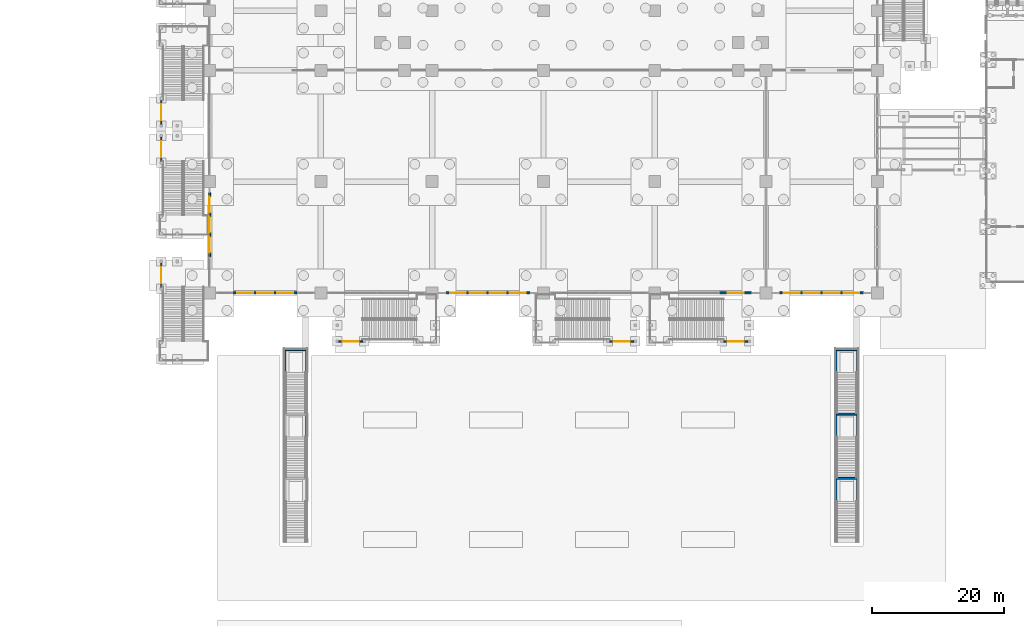
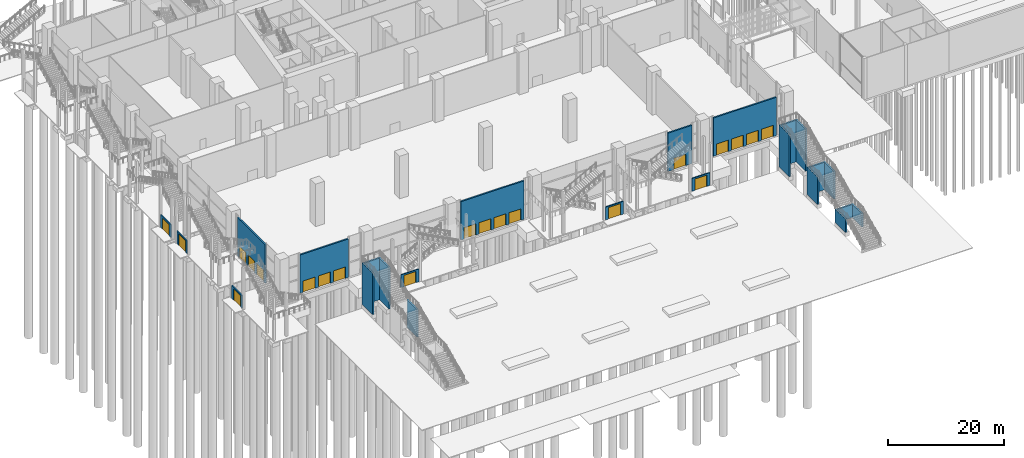
# One storey, part 39 of 72: 24 walls, 21 doors, 21 openings.
"""IFC4 building model written with IfcOpenShell, lengths in metres."""

from ifc_helpers import new_model, si_unit, direction, frame, frame_2d, origin, place, context, subcontext, project, spatial, rectangle, extrude, material, layer, layer_set, type_object, element, fill, save


model = new_model("IFC4")

# Units and contexts
model_context = context("Model", 3, precision=1e-05, world=origin(), true_north=direction((0.0, 1.0)))
body_context = subcontext(model_context, "Body", "Model", "MODEL_VIEW")
ifc_project = project(units=[si_unit("LENGTHUNIT", "METRE"), si_unit("AREAUNIT", "SQUARE_METRE"), si_unit("VOLUMEUNIT", "CUBIC_METRE"), si_unit("PLANEANGLEUNIT", "RADIAN"), si_unit("MASSUNIT", "GRAM", prefix="KILO")], contexts=[model_context])

# Site, building, storey
site_placement = place(None, origin())
site = spatial("IfcSite", under=ifc_project, at=site_placement, CompositionType="ELEMENT")
building_placement = place(site_placement, origin())
building = spatial("IfcBuilding", under=site, at=building_placement, Name="Candeia Pilgrim Tower and Theatre", CompositionType="ELEMENT")
storey_placement = place(building_placement, origin())
storey = spatial("IfcBuildingStorey", under=building, at=storey_placement, Name="L00", CompositionType="ELEMENT", Elevation=0.0)

# Wall, openings, doors
ifc_material_1 = material(Name="Ceramic block masonry", Category="masonry")
ifc_layer_1 = layer(ifc_material_1, 0.300048828125)
ifc_layer_set_1 = layer_set([ifc_layer_1], Name="EW2 entrance infill wall 300")
wall_type_1 = type_object("IfcWallType", Name="EW2 entrance infill wall 300", PredefinedType="SOLIDWALL", material=ifc_layer_set_1)
wall_1_placement = place(storey_placement, frame((58.800048828125, 69.89990234375, 0.0), z_axis=(0.0, 0.0, 1.0), x_axis=(0.0, 1.0, 0.0)))
wall_1 = element("IfcWall", 1, at=wall_1_placement, inside=storey, type_object=wall_type_1, Name="Entrance wall L00", PredefinedType="SOLIDWALL", context=body_context, shape_type="SweptSolid", body=[
    extrude(rectangle(XDim=9.60009765625, YDim=0.300048828125, at=frame_2d((4.800048828125, 0.0))), origin(), (0.0, 0.0, 1.0), 8.10009765625),
])
opening_1_placement = place(wall_1_placement, frame((0.60009765625, 0.0, 0.0)))
opening_1 = element("IfcOpeningElement", 2, at=opening_1_placement, cuts=wall_1, Name="Opening L00-ED001", PredefinedType="OPENING", context=body_context, shape_type="SweptSolid", body=[
    extrude(rectangle(XDim=2.39990234375, YDim=2.39990234375, at=frame_2d((1.199951171875, 1.199951171875))), frame((0.0, 0.16015625, 0.0), z_axis=(0.0, -1.0, 0.0), x_axis=(1.0, 0.0, 0.0)), (0.0, 0.0, 1.0), 0.320068359375),
])
opening_2_placement = place(wall_1_placement, frame((3.60009765625, 0.0, 0.0)))
opening_2 = element("IfcOpeningElement", 3, at=opening_2_placement, cuts=wall_1, Name="Opening L00-ED002", PredefinedType="OPENING", context=body_context, shape_type="SweptSolid", body=[
    extrude(rectangle(XDim=2.39990234375, YDim=2.39990234375, at=frame_2d((1.199951171875, 1.199951171875))), frame((0.0, 0.16015625, 0.0), z_axis=(0.0, -1.0, 0.0), x_axis=(1.0, 0.0, 0.0)), (0.0, 0.0, 1.0), 0.320068359375),
])
opening_3_placement = place(wall_1_placement, frame((6.60009765625, 0.0, 0.0)))
opening_3 = element("IfcOpeningElement", 4, at=opening_3_placement, cuts=wall_1, Name="Opening L00-ED003", PredefinedType="OPENING", context=body_context, shape_type="SweptSolid", body=[
    extrude(rectangle(XDim=2.39990234375, YDim=2.39990234375, at=frame_2d((1.199951171875, 1.199951171875))), frame((0.0, 0.16015625, 0.0), z_axis=(0.0, -1.0, 0.0), x_axis=(1.0, 0.0, 0.0)), (0.0, 0.0, 1.0), 0.320068359375),
])
ifc_material_2 = material(Name="Aluminium framed glazed door", Category="aluminium")
door_type = type_object("IfcDoorType", Name="ED entrance double door 2400x2400", OperationType="DOUBLE_DOOR_DOUBLE_SWING", PredefinedType="DOOR", material=ifc_material_2)
door_1_placement = place(opening_1_placement, origin())
door_1 = element("IfcDoor", 5, at=door_1_placement, inside=storey, type_object=door_type, Name="Entrance door L00-ED001", OperationType="DOUBLE_DOOR_DOUBLE_SWING", OverallHeight=2.39990234375, OverallWidth=2.39990234375, PredefinedType="DOOR", context=body_context, shape_type="SweptSolid", body=[
    extrude(rectangle(XDim=2.39990234375, YDim=2.39990234375, at=frame_2d((1.199951171875, 1.199951171875))), frame((0.0, 0.02490234375, 0.0), z_axis=(0.0, -1.0, 0.0), x_axis=(1.0, 0.0, 0.0)), (0.0, 0.0, 1.0), 0.050048828125),
])
fill(opening_1, door_1)
door_2_placement = place(opening_2_placement, origin())
door_2 = element("IfcDoor", 6, at=door_2_placement, inside=storey, type_object=door_type, Name="Entrance door L00-ED002", OperationType="DOUBLE_DOOR_DOUBLE_SWING", OverallHeight=2.39990234375, OverallWidth=2.39990234375, PredefinedType="DOOR", context=body_context, shape_type="SweptSolid", body=[
    extrude(rectangle(XDim=2.39990234375, YDim=2.39990234375, at=frame_2d((1.199951171875, 1.199951171875))), frame((0.0, 0.02490234375, 0.0), z_axis=(0.0, -1.0, 0.0), x_axis=(1.0, 0.0, 0.0)), (0.0, 0.0, 1.0), 0.050048828125),
])
fill(opening_2, door_2)
door_3_placement = place(opening_3_placement, origin())
door_3 = element("IfcDoor", 7, at=door_3_placement, inside=storey, type_object=door_type, Name="Entrance door L00-ED003", OperationType="DOUBLE_DOOR_DOUBLE_SWING", OverallHeight=2.39990234375, OverallWidth=2.39990234375, PredefinedType="DOOR", context=body_context, shape_type="SweptSolid", body=[
    extrude(rectangle(XDim=2.39990234375, YDim=2.39990234375, at=frame_2d((1.199951171875, 1.199951171875))), frame((0.0, 0.02490234375, 0.0), z_axis=(0.0, -1.0, 0.0), x_axis=(1.0, 0.0, 0.0)), (0.0, 0.0, 1.0), 0.050048828125),
])
fill(opening_3, door_3)

wall_2_placement = place(storey_placement, frame((157.5, 64.39990234375, 0.0), z_axis=(0.0, 0.0, 1.0), x_axis=(-1.0, 0.0, 0.0)))
wall_2 = element("IfcWall", 8, at=wall_2_placement, inside=storey, type_object=wall_type_1, Name="Entrance wall L00", PredefinedType="SOLIDWALL", context=body_context, shape_type="SweptSolid", body=[
    extrude(rectangle(XDim=12.60009765625, YDim=0.300048828125, at=frame_2d((6.300048828125, 0.0))), origin(), (0.0, 0.0, 1.0), 8.10009765625),
])
opening_4_placement = place(wall_2_placement, frame((0.60009765625, 0.0, 0.0)))
opening_4 = element("IfcOpeningElement", 9, at=opening_4_placement, cuts=wall_2, Name="Opening L00-ED015", PredefinedType="OPENING", context=body_context, shape_type="SweptSolid", body=[
    extrude(rectangle(XDim=2.39990234375, YDim=2.39990234375, at=frame_2d((1.199951171875, 1.199951171875))), frame((0.0, 0.16015625, 0.0), z_axis=(0.0, -1.0, 0.0), x_axis=(1.0, 0.0, 0.0)), (0.0, 0.0, 1.0), 0.320068359375),
])
opening_5_placement = place(wall_2_placement, frame((3.60009765625, 0.0, 0.0)))
opening_5 = element("IfcOpeningElement", 10, at=opening_5_placement, cuts=wall_2, Name="Opening L00-ED016", PredefinedType="OPENING", context=body_context, shape_type="SweptSolid", body=[
    extrude(rectangle(XDim=2.39990234375, YDim=2.39990234375, at=frame_2d((1.199951171875, 1.199951171875))), frame((0.0, 0.16015625, 0.0), z_axis=(0.0, -1.0, 0.0), x_axis=(1.0, 0.0, 0.0)), (0.0, 0.0, 1.0), 0.320068359375),
])
opening_6_placement = place(wall_2_placement, frame((6.60009765625, 0.0, 0.0)))
opening_6 = element("IfcOpeningElement", 11, at=opening_6_placement, cuts=wall_2, Name="Opening L00-ED017", PredefinedType="OPENING", context=body_context, shape_type="SweptSolid", body=[
    extrude(rectangle(XDim=2.39990234375, YDim=2.39990234375, at=frame_2d((1.199951171875, 1.199951171875))), frame((0.0, 0.16015625, 0.0), z_axis=(0.0, -1.0, 0.0), x_axis=(1.0, 0.0, 0.0)), (0.0, 0.0, 1.0), 0.320068359375),
])
opening_7_placement = place(wall_2_placement, frame((9.60009765625, 0.0, 0.0)))
opening_7 = element("IfcOpeningElement", 12, at=opening_7_placement, cuts=wall_2, Name="Opening L00-ED018", PredefinedType="OPENING", context=body_context, shape_type="SweptSolid", body=[
    extrude(rectangle(XDim=2.39990234375, YDim=2.39990234375, at=frame_2d((1.199951171875, 1.199951171875))), frame((0.0, 0.16015625, 0.0), z_axis=(0.0, -1.0, 0.0), x_axis=(1.0, 0.0, 0.0)), (0.0, 0.0, 1.0), 0.320068359375),
])
door_4_placement = place(opening_4_placement, origin())
door_4 = element("IfcDoor", 13, at=door_4_placement, inside=storey, type_object=door_type, Name="Entrance door L00-ED015", OperationType="DOUBLE_DOOR_DOUBLE_SWING", OverallHeight=2.39990234375, OverallWidth=2.39990234375, PredefinedType="DOOR", context=body_context, shape_type="SweptSolid", body=[
    extrude(rectangle(XDim=2.39990234375, YDim=2.39990234375, at=frame_2d((1.199951171875, 1.199951171875))), frame((0.0, 0.02490234375, 0.0), z_axis=(0.0, -1.0, 0.0), x_axis=(1.0, 0.0, 0.0)), (0.0, 0.0, 1.0), 0.050048828125),
])
fill(opening_4, door_4)
door_5_placement = place(opening_5_placement, origin())
door_5 = element("IfcDoor", 14, at=door_5_placement, inside=storey, type_object=door_type, Name="Entrance door L00-ED016", OperationType="DOUBLE_DOOR_DOUBLE_SWING", OverallHeight=2.39990234375, OverallWidth=2.39990234375, PredefinedType="DOOR", context=body_context, shape_type="SweptSolid", body=[
    extrude(rectangle(XDim=2.39990234375, YDim=2.39990234375, at=frame_2d((1.199951171875, 1.199951171875))), frame((0.0, 0.02490234375, 0.0), z_axis=(0.0, -1.0, 0.0), x_axis=(1.0, 0.0, 0.0)), (0.0, 0.0, 1.0), 0.050048828125),
])
fill(opening_5, door_5)
door_6_placement = place(opening_6_placement, origin())
door_6 = element("IfcDoor", 15, at=door_6_placement, inside=storey, type_object=door_type, Name="Entrance door L00-ED017", OperationType="DOUBLE_DOOR_DOUBLE_SWING", OverallHeight=2.39990234375, OverallWidth=2.39990234375, PredefinedType="DOOR", context=body_context, shape_type="SweptSolid", body=[
    extrude(rectangle(XDim=2.39990234375, YDim=2.39990234375, at=frame_2d((1.199951171875, 1.199951171875))), frame((0.0, 0.02490234375, 0.0), z_axis=(0.0, -1.0, 0.0), x_axis=(1.0, 0.0, 0.0)), (0.0, 0.0, 1.0), 0.050048828125),
])
fill(opening_6, door_6)
door_7_placement = place(opening_7_placement, origin())
door_7 = element("IfcDoor", 16, at=door_7_placement, inside=storey, type_object=door_type, Name="Entrance door L00-ED018", OperationType="DOUBLE_DOOR_DOUBLE_SWING", OverallHeight=2.39990234375, OverallWidth=2.39990234375, PredefinedType="DOOR", context=body_context, shape_type="SweptSolid", body=[
    extrude(rectangle(XDim=2.39990234375, YDim=2.39990234375, at=frame_2d((1.199951171875, 1.199951171875))), frame((0.0, 0.02490234375, 0.0), z_axis=(0.0, -1.0, 0.0), x_axis=(1.0, 0.0, 0.0)), (0.0, 0.0, 1.0), 0.050048828125),
])
fill(opening_7, door_7)

# Wall, opening, door
wall_3_placement = place(storey_placement, frame((140.60009765625, 64.39990234375, 0.0), z_axis=(0.0, 0.0, 1.0), x_axis=(-1.0, 0.0, 0.0)))
wall_3 = element("IfcWall", 17, at=wall_3_placement, inside=storey, type_object=wall_type_1, Name="Entrance wall L00", PredefinedType="SOLIDWALL", context=body_context, shape_type="SweptSolid", body=[
    extrude(rectangle(XDim=4.800048828125, YDim=0.300048828125, at=frame_2d((2.39990234375, 0.0))), origin(), (0.0, 0.0, 1.0), 8.10009765625),
])
opening_8_placement = place(wall_3_placement, frame((1.199951171875, 0.0, 0.0)))
opening_8 = element("IfcOpeningElement", 18, at=opening_8_placement, cuts=wall_3, Name="Opening L00-ED019", PredefinedType="OPENING", context=body_context, shape_type="SweptSolid", body=[
    extrude(rectangle(XDim=2.39990234375, YDim=2.39990234375, at=frame_2d((1.199951171875, 1.199951171875))), frame((0.0, 0.16015625, 0.0), z_axis=(0.0, -1.0, 0.0), x_axis=(1.0, 0.0, 0.0)), (0.0, 0.0, 1.0), 0.320068359375),
])
door_8_placement = place(opening_8_placement, origin())
door_8 = element("IfcDoor", 19, at=door_8_placement, inside=storey, type_object=door_type, Name="Entrance door L00-ED019", OperationType="DOUBLE_DOOR_DOUBLE_SWING", OverallHeight=2.39990234375, OverallWidth=2.39990234375, PredefinedType="DOOR", context=body_context, shape_type="SweptSolid", body=[
    extrude(rectangle(XDim=2.39990234375, YDim=2.39990234375, at=frame_2d((1.199951171875, 1.199951171875))), frame((0.0, 0.02490234375, 0.0), z_axis=(0.0, -1.0, 0.0), x_axis=(1.0, 0.0, 0.0)), (0.0, 0.0, 1.0), 0.050048828125),
])
fill(opening_8, door_8)

# Wall, openings, doors
wall_4_placement = place(storey_placement, frame((107.10009765625, 64.39990234375, 0.0), z_axis=(0.0, 0.0, 1.0), x_axis=(-1.0, 0.0, 0.0)))
wall_4 = element("IfcWall", 20, at=wall_4_placement, inside=storey, type_object=wall_type_1, Name="Entrance wall L00", PredefinedType="SOLIDWALL", context=body_context, shape_type="SweptSolid", body=[
    extrude(rectangle(XDim=12.60009765625, YDim=0.300048828125, at=frame_2d((6.300048828125, 0.0))), origin(), (0.0, 0.0, 1.0), 8.10009765625),
])
opening_9_placement = place(wall_4_placement, frame((0.60009765625, 0.0, 0.0)))
opening_9 = element("IfcOpeningElement", 21, at=opening_9_placement, cuts=wall_4, Name="Opening L00-ED020", PredefinedType="OPENING", context=body_context, shape_type="SweptSolid", body=[
    extrude(rectangle(XDim=2.39990234375, YDim=2.39990234375, at=frame_2d((1.199951171875, 1.199951171875))), frame((0.0, 0.16015625, 0.0), z_axis=(0.0, -1.0, 0.0), x_axis=(1.0, 0.0, 0.0)), (0.0, 0.0, 1.0), 0.320068359375),
])
opening_10_placement = place(wall_4_placement, frame((3.60009765625, 0.0, 0.0)))
opening_10 = element("IfcOpeningElement", 22, at=opening_10_placement, cuts=wall_4, Name="Opening L00-ED021", PredefinedType="OPENING", context=body_context, shape_type="SweptSolid", body=[
    extrude(rectangle(XDim=2.39990234375, YDim=2.39990234375, at=frame_2d((1.199951171875, 1.199951171875))), frame((0.0, 0.16015625, 0.0), z_axis=(0.0, -1.0, 0.0), x_axis=(1.0, 0.0, 0.0)), (0.0, 0.0, 1.0), 0.320068359375),
])
opening_11_placement = place(wall_4_placement, frame((6.60009765625, 0.0, 0.0)))
opening_11 = element("IfcOpeningElement", 23, at=opening_11_placement, cuts=wall_4, Name="Opening L00-ED022", PredefinedType="OPENING", context=body_context, shape_type="SweptSolid", body=[
    extrude(rectangle(XDim=2.39990234375, YDim=2.39990234375, at=frame_2d((1.199951171875, 1.199951171875))), frame((0.0, 0.16015625, 0.0), z_axis=(0.0, -1.0, 0.0), x_axis=(1.0, 0.0, 0.0)), (0.0, 0.0, 1.0), 0.320068359375),
])
opening_12_placement = place(wall_4_placement, frame((9.60009765625, 0.0, 0.0)))
opening_12 = element("IfcOpeningElement", 24, at=opening_12_placement, cuts=wall_4, Name="Opening L00-ED023", PredefinedType="OPENING", context=body_context, shape_type="SweptSolid", body=[
    extrude(rectangle(XDim=2.39990234375, YDim=2.39990234375, at=frame_2d((1.199951171875, 1.199951171875))), frame((0.0, 0.16015625, 0.0), z_axis=(0.0, -1.0, 0.0), x_axis=(1.0, 0.0, 0.0)), (0.0, 0.0, 1.0), 0.320068359375),
])
door_9_placement = place(opening_9_placement, origin())
door_9 = element("IfcDoor", 25, at=door_9_placement, inside=storey, type_object=door_type, Name="Entrance door L00-ED020", OperationType="DOUBLE_DOOR_DOUBLE_SWING", OverallHeight=2.39990234375, OverallWidth=2.39990234375, PredefinedType="DOOR", context=body_context, shape_type="SweptSolid", body=[
    extrude(rectangle(XDim=2.39990234375, YDim=2.39990234375, at=frame_2d((1.199951171875, 1.199951171875))), frame((0.0, 0.02490234375, 0.0), z_axis=(0.0, -1.0, 0.0), x_axis=(1.0, 0.0, 0.0)), (0.0, 0.0, 1.0), 0.050048828125),
])
fill(opening_9, door_9)
door_10_placement = place(opening_10_placement, origin())
door_10 = element("IfcDoor", 26, at=door_10_placement, inside=storey, type_object=door_type, Name="Entrance door L00-ED021", OperationType="DOUBLE_DOOR_DOUBLE_SWING", OverallHeight=2.39990234375, OverallWidth=2.39990234375, PredefinedType="DOOR", context=body_context, shape_type="SweptSolid", body=[
    extrude(rectangle(XDim=2.39990234375, YDim=2.39990234375, at=frame_2d((1.199951171875, 1.199951171875))), frame((0.0, 0.02490234375, 0.0), z_axis=(0.0, -1.0, 0.0), x_axis=(1.0, 0.0, 0.0)), (0.0, 0.0, 1.0), 0.050048828125),
])
fill(opening_10, door_10)
door_11_placement = place(opening_11_placement, origin())
door_11 = element("IfcDoor", 27, at=door_11_placement, inside=storey, type_object=door_type, Name="Entrance door L00-ED022", OperationType="DOUBLE_DOOR_DOUBLE_SWING", OverallHeight=2.39990234375, OverallWidth=2.39990234375, PredefinedType="DOOR", context=body_context, shape_type="SweptSolid", body=[
    extrude(rectangle(XDim=2.39990234375, YDim=2.39990234375, at=frame_2d((1.199951171875, 1.199951171875))), frame((0.0, 0.02490234375, 0.0), z_axis=(0.0, -1.0, 0.0), x_axis=(1.0, 0.0, 0.0)), (0.0, 0.0, 1.0), 0.050048828125),
])
fill(opening_11, door_11)
door_12_placement = place(opening_12_placement, origin())
door_12 = element("IfcDoor", 28, at=door_12_placement, inside=storey, type_object=door_type, Name="Entrance door L00-ED023", OperationType="DOUBLE_DOOR_DOUBLE_SWING", OverallHeight=2.39990234375, OverallWidth=2.39990234375, PredefinedType="DOOR", context=body_context, shape_type="SweptSolid", body=[
    extrude(rectangle(XDim=2.39990234375, YDim=2.39990234375, at=frame_2d((1.199951171875, 1.199951171875))), frame((0.0, 0.02490234375, 0.0), z_axis=(0.0, -1.0, 0.0), x_axis=(1.0, 0.0, 0.0)), (0.0, 0.0, 1.0), 0.050048828125),
])
fill(opening_12, door_12)

wall_5_placement = place(storey_placement, frame((72.0, 64.39990234375, 0.0), z_axis=(0.0, 0.0, 1.0), x_axis=(-1.0, 0.0, 0.0)))
wall_5 = element("IfcWall", 29, at=wall_5_placement, inside=storey, type_object=wall_type_1, Name="Entrance wall L00", PredefinedType="SOLIDWALL", context=body_context, shape_type="SweptSolid", body=[
    extrude(rectangle(XDim=9.60009765625, YDim=0.300048828125, at=frame_2d((4.800048828125, 0.0))), origin(), (0.0, 0.0, 1.0), 8.10009765625),
])
opening_13_placement = place(wall_5_placement, frame((0.60009765625, 0.0, 0.0)))
opening_13 = element("IfcOpeningElement", 30, at=opening_13_placement, cuts=wall_5, Name="Opening L00-ED024", PredefinedType="OPENING", context=body_context, shape_type="SweptSolid", body=[
    extrude(rectangle(XDim=2.39990234375, YDim=2.39990234375, at=frame_2d((1.199951171875, 1.199951171875))), frame((0.0, 0.16015625, 0.0), z_axis=(0.0, -1.0, 0.0), x_axis=(1.0, 0.0, 0.0)), (0.0, 0.0, 1.0), 0.320068359375),
])
opening_14_placement = place(wall_5_placement, frame((3.60009765625, 0.0, 0.0)))
opening_14 = element("IfcOpeningElement", 31, at=opening_14_placement, cuts=wall_5, Name="Opening L00-ED025", PredefinedType="OPENING", context=body_context, shape_type="SweptSolid", body=[
    extrude(rectangle(XDim=2.39990234375, YDim=2.39990234375, at=frame_2d((1.199951171875, 1.199951171875))), frame((0.0, 0.16015625, 0.0), z_axis=(0.0, -1.0, 0.0), x_axis=(1.0, 0.0, 0.0)), (0.0, 0.0, 1.0), 0.320068359375),
])
opening_15_placement = place(wall_5_placement, frame((6.60009765625, 0.0, 0.0)))
opening_15 = element("IfcOpeningElement", 32, at=opening_15_placement, cuts=wall_5, Name="Opening L00-ED026", PredefinedType="OPENING", context=body_context, shape_type="SweptSolid", body=[
    extrude(rectangle(XDim=2.39990234375, YDim=2.39990234375, at=frame_2d((1.199951171875, 1.199951171875))), frame((0.0, 0.16015625, 0.0), z_axis=(0.0, -1.0, 0.0), x_axis=(1.0, 0.0, 0.0)), (0.0, 0.0, 1.0), 0.320068359375),
])
door_13_placement = place(opening_13_placement, origin())
door_13 = element("IfcDoor", 33, at=door_13_placement, inside=storey, type_object=door_type, Name="Entrance door L00-ED024", OperationType="DOUBLE_DOOR_DOUBLE_SWING", OverallHeight=2.39990234375, OverallWidth=2.39990234375, PredefinedType="DOOR", context=body_context, shape_type="SweptSolid", body=[
    extrude(rectangle(XDim=2.39990234375, YDim=2.39990234375, at=frame_2d((1.199951171875, 1.199951171875))), frame((0.0, 0.02490234375, 0.0), z_axis=(0.0, -1.0, 0.0), x_axis=(1.0, 0.0, 0.0)), (0.0, 0.0, 1.0), 0.050048828125),
])
fill(opening_13, door_13)
door_14_placement = place(opening_14_placement, origin())
door_14 = element("IfcDoor", 34, at=door_14_placement, inside=storey, type_object=door_type, Name="Entrance door L00-ED025", OperationType="DOUBLE_DOOR_DOUBLE_SWING", OverallHeight=2.39990234375, OverallWidth=2.39990234375, PredefinedType="DOOR", context=body_context, shape_type="SweptSolid", body=[
    extrude(rectangle(XDim=2.39990234375, YDim=2.39990234375, at=frame_2d((1.199951171875, 1.199951171875))), frame((0.0, 0.02490234375, 0.0), z_axis=(0.0, -1.0, 0.0), x_axis=(1.0, 0.0, 0.0)), (0.0, 0.0, 1.0), 0.050048828125),
])
fill(opening_14, door_14)
door_15_placement = place(opening_15_placement, origin())
door_15 = element("IfcDoor", 35, at=door_15_placement, inside=storey, type_object=door_type, Name="Entrance door L00-ED026", OperationType="DOUBLE_DOOR_DOUBLE_SWING", OverallHeight=2.39990234375, OverallWidth=2.39990234375, PredefinedType="DOOR", context=body_context, shape_type="SweptSolid", body=[
    extrude(rectangle(XDim=2.39990234375, YDim=2.39990234375, at=frame_2d((1.199951171875, 1.199951171875))), frame((0.0, 0.02490234375, 0.0), z_axis=(0.0, -1.0, 0.0), x_axis=(1.0, 0.0, 0.0)), (0.0, 0.0, 1.0), 0.050048828125),
])
fill(opening_15, door_15)

# Wall, opening, door
ifc_material_3 = material(Name="Concrete C35/45", Category="concrete")
ifc_layer_2 = layer(ifc_material_3, 0.199951171875)
ifc_layer_set_2 = layer_set([ifc_layer_2], Name="Escape stair gate wall 200")
wall_type_2 = type_object("IfcWallType", Name="Escape stair gate wall 200", PredefinedType="SOLIDWALL", material=ifc_layer_set_2)
wall_6_placement = place(storey_placement, frame((81.89990234375, 57.10009765625, 0.0), z_axis=(0.0, 0.0, 1.0), x_axis=(-1.0, 0.0, 0.0)))
wall_6 = element("IfcWall", 36, at=wall_6_placement, inside=storey, type_object=wall_type_2, Name="External escape stair ES8 gate wall", PredefinedType="SOLIDWALL", context=body_context, shape_type="SweptSolid", body=[
    extrude(rectangle(XDim=3.599853515625, YDim=0.199951171875, at=frame_2d((1.7998046875, 0.0))), origin(), (0.0, 0.0, 1.0), 2.699951171875),
])
opening_16_placement = place(wall_6_placement, frame((0.60009765625, 0.0, 0.0)))
opening_16 = element("IfcOpeningElement", 37, at=opening_16_placement, cuts=wall_6, Name="Opening XG-8", PredefinedType="OPENING", context=body_context, shape_type="SweptSolid", body=[
    extrude(rectangle(XDim=2.39990234375, YDim=2.39990234375, at=frame_2d((1.199951171875, 1.199951171875))), frame((0.0, 0.10986328125, 0.0), z_axis=(0.0, -1.0, 0.0), x_axis=(1.0, 0.0, 0.0)), (0.0, 0.0, 1.0), 0.219970703125),
])
door_16_placement = place(opening_16_placement, origin())
door_16 = element("IfcDoor", 38, at=door_16_placement, inside=storey, type_object=door_type, Name="Final exit door ES8", OperationType="DOUBLE_DOOR_DOUBLE_SWING", OverallHeight=2.39990234375, OverallWidth=2.39990234375, PredefinedType="DOOR", context=body_context, shape_type="SweptSolid", body=[
    extrude(rectangle(XDim=2.39990234375, YDim=2.39990234375, at=frame_2d((1.199951171875, 1.199951171875))), frame((0.0, 0.02490234375, 0.0), z_axis=(0.0, -1.0, 0.0), x_axis=(1.0, 0.0, 0.0)), (0.0, 0.0, 1.0), 0.050048828125),
])
fill(opening_16, door_16)

wall_7_placement = place(storey_placement, frame((122.800048828125, 57.10009765625, 0.0), z_axis=(0.0, 0.0, 1.0), x_axis=(-1.0, 0.0, 0.0)))
wall_7 = element("IfcWall", 39, at=wall_7_placement, inside=storey, type_object=wall_type_2, Name="External escape stair ES9 gate wall", PredefinedType="SOLIDWALL", context=body_context, shape_type="SweptSolid", body=[
    extrude(rectangle(XDim=3.60009765625, YDim=0.199951171875, at=frame_2d((1.800048828125, 0.0))), origin(), (0.0, 0.0, 1.0), 2.699951171875),
])
opening_17_placement = place(wall_7_placement, frame((0.60009765625, 0.0, 0.0)))
opening_17 = element("IfcOpeningElement", 40, at=opening_17_placement, cuts=wall_7, Name="Opening XG-9", PredefinedType="OPENING", context=body_context, shape_type="SweptSolid", body=[
    extrude(rectangle(XDim=2.39990234375, YDim=2.39990234375, at=frame_2d((1.199951171875, 1.199951171875))), frame((0.0, 0.10986328125, 0.0), z_axis=(0.0, -1.0, 0.0), x_axis=(1.0, 0.0, 0.0)), (0.0, 0.0, 1.0), 0.219970703125),
])
door_17_placement = place(opening_17_placement, origin())
door_17 = element("IfcDoor", 41, at=door_17_placement, inside=storey, type_object=door_type, Name="Final exit door ES9", OperationType="DOUBLE_DOOR_DOUBLE_SWING", OverallHeight=2.39990234375, OverallWidth=2.39990234375, PredefinedType="DOOR", context=body_context, shape_type="SweptSolid", body=[
    extrude(rectangle(XDim=2.39990234375, YDim=2.39990234375, at=frame_2d((1.199951171875, 1.199951171875))), frame((0.0, 0.02490234375, 0.0), z_axis=(0.0, -1.0, 0.0), x_axis=(1.0, 0.0, 0.0)), (0.0, 0.0, 1.0), 0.050048828125),
])
fill(opening_17, door_17)

wall_8_placement = place(storey_placement, frame((51.5, 65.300048828125, 0.0), z_axis=(0.0, 0.0, 1.0), x_axis=(0.0, 1.0, 0.0)))
wall_8 = element("IfcWall", 42, at=wall_8_placement, inside=storey, type_object=wall_type_2, Name="External escape stair ES10 gate wall", PredefinedType="SOLIDWALL", context=body_context, shape_type="SweptSolid", body=[
    extrude(rectangle(XDim=3.599853515625, YDim=0.199951171875, at=frame_2d((1.7998046875, 0.0))), origin(), (0.0, 0.0, 1.0), 2.699951171875),
])
opening_18_placement = place(wall_8_placement, frame((0.60009765625, 0.0, 0.0)))
opening_18 = element("IfcOpeningElement", 43, at=opening_18_placement, cuts=wall_8, Name="Opening XG-10", PredefinedType="OPENING", context=body_context, shape_type="SweptSolid", body=[
    extrude(rectangle(XDim=2.39990234375, YDim=2.39990234375, at=frame_2d((1.199951171875, 1.199951171875))), frame((0.0, 0.10986328125, 0.0), z_axis=(0.0, -1.0, 0.0), x_axis=(1.0, 0.0, 0.0)), (0.0, 0.0, 1.0), 0.219970703125),
])
door_18_placement = place(opening_18_placement, origin())
door_18 = element("IfcDoor", 44, at=door_18_placement, inside=storey, type_object=door_type, Name="Final exit door ES10", OperationType="DOUBLE_DOOR_DOUBLE_SWING", OverallHeight=2.39990234375, OverallWidth=2.39990234375, PredefinedType="DOOR", context=body_context, shape_type="SweptSolid", body=[
    extrude(rectangle(XDim=2.39990234375, YDim=2.39990234375, at=frame_2d((1.199951171875, 1.199951171875))), frame((0.0, 0.02490234375, 0.0), z_axis=(0.0, -1.0, 0.0), x_axis=(1.0, 0.0, 0.0)), (0.0, 0.0, 1.0), 0.050048828125),
])
fill(opening_18, door_18)

wall_9_placement = place(storey_placement, frame((51.5, 84.300048828125, 0.0), z_axis=(0.0, 0.0, 1.0), x_axis=(0.0, 1.0, 0.0)))
wall_9 = element("IfcWall", 45, at=wall_9_placement, inside=storey, type_object=wall_type_2, Name="External escape stair ES11 gate wall", PredefinedType="SOLIDWALL", context=body_context, shape_type="SweptSolid", body=[
    extrude(rectangle(XDim=3.599853515625, YDim=0.199951171875, at=frame_2d((1.7998046875, 0.0))), origin(), (0.0, 0.0, 1.0), 2.699951171875),
])
opening_19_placement = place(wall_9_placement, frame((0.60009765625, 0.0, 0.0)))
opening_19 = element("IfcOpeningElement", 46, at=opening_19_placement, cuts=wall_9, Name="Opening XG-11", PredefinedType="OPENING", context=body_context, shape_type="SweptSolid", body=[
    extrude(rectangle(XDim=2.39990234375, YDim=2.39990234375, at=frame_2d((1.199951171875, 1.199951171875))), frame((0.0, 0.10986328125, 0.0), z_axis=(0.0, -1.0, 0.0), x_axis=(1.0, 0.0, 0.0)), (0.0, 0.0, 1.0), 0.219970703125),
])
door_19_placement = place(opening_19_placement, origin())
door_19 = element("IfcDoor", 47, at=door_19_placement, inside=storey, type_object=door_type, Name="Final exit door ES11", OperationType="DOUBLE_DOOR_DOUBLE_SWING", OverallHeight=2.39990234375, OverallWidth=2.39990234375, PredefinedType="DOOR", context=body_context, shape_type="SweptSolid", body=[
    extrude(rectangle(XDim=2.39990234375, YDim=2.39990234375, at=frame_2d((1.199951171875, 1.199951171875))), frame((0.0, 0.02490234375, 0.0), z_axis=(0.0, -1.0, 0.0), x_axis=(1.0, 0.0, 0.0)), (0.0, 0.0, 1.0), 0.050048828125),
])
fill(opening_19, door_19)

wall_10_placement = place(storey_placement, frame((51.5, 89.89990234375, 0.0), z_axis=(0.0, 0.0, 1.0), x_axis=(0.0, 1.0, 0.0)))
wall_10 = element("IfcWall", 48, at=wall_10_placement, inside=storey, type_object=wall_type_2, Name="External escape stair ES12 gate wall", PredefinedType="SOLIDWALL", context=body_context, shape_type="SweptSolid", body=[
    extrude(rectangle(XDim=3.60009765625, YDim=0.199951171875, at=frame_2d((1.800048828125, 0.0))), origin(), (0.0, 0.0, 1.0), 2.699951171875),
])
opening_20_placement = place(wall_10_placement, frame((0.60009765625, 0.0, 0.0)))
opening_20 = element("IfcOpeningElement", 49, at=opening_20_placement, cuts=wall_10, Name="Opening XG-12", PredefinedType="OPENING", context=body_context, shape_type="SweptSolid", body=[
    extrude(rectangle(XDim=2.39990234375, YDim=2.39990234375, at=frame_2d((1.199951171875, 1.199951171875))), frame((0.0, 0.10986328125, 0.0), z_axis=(0.0, -1.0, 0.0), x_axis=(1.0, 0.0, 0.0)), (0.0, 0.0, 1.0), 0.219970703125),
])
door_20_placement = place(opening_20_placement, origin())
door_20 = element("IfcDoor", 50, at=door_20_placement, inside=storey, type_object=door_type, Name="Final exit door ES12", OperationType="DOUBLE_DOOR_DOUBLE_SWING", OverallHeight=2.39990234375, OverallWidth=2.39990234375, PredefinedType="DOOR", context=body_context, shape_type="SweptSolid", body=[
    extrude(rectangle(XDim=2.39990234375, YDim=2.39990234375, at=frame_2d((1.199951171875, 1.199951171875))), frame((0.0, 0.02490234375, 0.0), z_axis=(0.0, -1.0, 0.0), x_axis=(1.0, 0.0, 0.0)), (0.0, 0.0, 1.0), 0.050048828125),
])
fill(opening_20, door_20)

wall_11_placement = place(storey_placement, frame((140.0, 57.10009765625, 0.0), z_axis=(0.0, 0.0, 1.0), x_axis=(-1.0, 0.0, 0.0)))
wall_11 = element("IfcWall", 51, at=wall_11_placement, inside=storey, type_object=wall_type_2, Name="External escape stair ES16 gate wall", PredefinedType="SOLIDWALL", context=body_context, shape_type="SweptSolid", body=[
    extrude(rectangle(XDim=3.60009765625, YDim=0.199951171875, at=frame_2d((1.800048828125, 0.0))), origin(), (0.0, 0.0, 1.0), 2.699951171875),
])
opening_21_placement = place(wall_11_placement, frame((0.60009765625, 0.0, 0.0)))
opening_21 = element("IfcOpeningElement", 52, at=opening_21_placement, cuts=wall_11, Name="Opening XG-16", PredefinedType="OPENING", context=body_context, shape_type="SweptSolid", body=[
    extrude(rectangle(XDim=2.39990234375, YDim=2.39990234375, at=frame_2d((1.199951171875, 1.199951171875))), frame((0.0, 0.10986328125, 0.0), z_axis=(0.0, -1.0, 0.0), x_axis=(1.0, 0.0, 0.0)), (0.0, 0.0, 1.0), 0.219970703125),
])
door_21_placement = place(opening_21_placement, origin())
door_21 = element("IfcDoor", 53, at=door_21_placement, inside=storey, type_object=door_type, Name="Final exit door ES16", OperationType="DOUBLE_DOOR_DOUBLE_SWING", OverallHeight=2.39990234375, OverallWidth=2.39990234375, PredefinedType="DOOR", context=body_context, shape_type="SweptSolid", body=[
    extrude(rectangle(XDim=2.39990234375, YDim=2.39990234375, at=frame_2d((1.199951171875, 1.199951171875))), frame((0.0, 0.02490234375, 0.0), z_axis=(0.0, -1.0, 0.0), x_axis=(1.0, 0.0, 0.0)), (0.0, 0.0, 1.0), 0.050048828125),
])
fill(opening_21, door_21)

# Walls
ifc_layer_3 = layer(ifc_material_3, 0.300048828125)
ifc_layer_set_3 = layer_set([ifc_layer_3], Name="Retaining wall 300 C35/45")
wall_type_3 = type_object("IfcWallType", Name="Retaining wall 300 C35/45", PredefinedType="SOLIDWALL", material=ifc_layer_set_3)
wall_12_placement = place(storey_placement, frame((73.449951171875, 42.679931640625, 0.0), z_axis=(0.0, 0.0, 1.0), x_axis=(0.0, 1.0, 0.0)))
element("IfcWall", 54, at=wall_12_placement, inside=storey, type_object=wall_type_3, Name="Garden stair W support wall 2.2", PredefinedType="SOLIDWALL", context=body_context, shape_type="SweptSolid", body=[
    extrude(rectangle(XDim=3.60009765625, YDim=0.300048828125, at=frame_2d((1.800048828125, 0.0))), origin(), (0.0, 0.0, 1.0), 5.800048828125),
])
for number, where, z_axis, x_axis, name in (
    (55, (70.14990234375, 52.39990234375, 0.0), (0.0, 0.0, 1.0), (0.0, 1.0, 0.0), "Garden stair W support wall 3.1"),
    (56, (73.449951171875, 52.39990234375, 0.0), (0.0, 0.0, 1.0), (0.0, 1.0, 0.0), "Garden stair W support wall 3.2"),
):
    element("IfcWall", number, at=place(storey_placement, frame(where, z_axis=z_axis, x_axis=x_axis)), inside=storey, type_object=wall_type_3, Name=name, PredefinedType="SOLIDWALL", context=body_context, shape_type="SweptSolid", body=[
        extrude(rectangle(XDim=3.60009765625, YDim=0.300048828125, at=frame_2d((1.800048828125, 0.0))), origin(), (0.0, 0.0, 1.0), 8.800048828125),
    ])
wall_13_placement = place(storey_placement, frame((70.300048828125, 55.85009765625, 0.0), z_axis=(0.0, 0.0, 1.0), x_axis=(1.0, 0.0, 0.0)))
element("IfcWall", 57, at=wall_13_placement, inside=storey, type_object=wall_type_3, Name="Garden stair W back wall 3", PredefinedType="SOLIDWALL", context=body_context, shape_type="SweptSolid", body=[
    extrude(rectangle(XDim=3.0, YDim=0.300048828125, at=frame_2d((1.5, 0.0))), origin(), (0.0, 0.0, 1.0), 8.800048828125),
])
for number, where, z_axis, x_axis, name in (
    (58, (153.35009765625, 32.9599609375, 0.0), (0.0, 0.0, 1.0), (0.0, 1.0, 0.0), "Garden stair E support wall 1.1"),
    (59, (156.64990234375, 32.9599609375, 0.0), (0.0, 0.0, 1.0), (0.0, 1.0, 0.0), "Garden stair E support wall 1.2"),
):
    element("IfcWall", number, at=place(storey_placement, frame(where, z_axis=z_axis, x_axis=x_axis)), inside=storey, type_object=wall_type_3, Name=name, PredefinedType="SOLIDWALL", context=body_context, shape_type="SweptSolid", body=[
        extrude(rectangle(XDim=3.60009765625, YDim=0.300048828125, at=frame_2d((1.800048828125, 0.0))), origin(), (0.0, 0.0, 1.0), 2.800048828125),
    ])
wall_14_placement = place(storey_placement, frame((153.5, 36.409912109375, 0.0), z_axis=(0.0, 0.0, 1.0), x_axis=(1.0, 0.0, 0.0)))
element("IfcWall", 60, at=wall_14_placement, inside=storey, type_object=wall_type_3, Name="Garden stair E back wall 1", PredefinedType="SOLIDWALL", context=body_context, shape_type="SweptSolid", body=[
    extrude(rectangle(XDim=3.0, YDim=0.300048828125, at=frame_2d((1.5, 0.0))), origin(), (0.0, 0.0, 1.0), 2.800048828125),
])
for number, where, z_axis, x_axis, name in (
    (61, (153.35009765625, 42.679931640625, 0.0), (0.0, 0.0, 1.0), (0.0, 1.0, 0.0), "Garden stair E support wall 2.1"),
    (62, (156.64990234375, 42.679931640625, 0.0), (0.0, 0.0, 1.0), (0.0, 1.0, 0.0), "Garden stair E support wall 2.2"),
):
    element("IfcWall", number, at=place(storey_placement, frame(where, z_axis=z_axis, x_axis=x_axis)), inside=storey, type_object=wall_type_3, Name=name, PredefinedType="SOLIDWALL", context=body_context, shape_type="SweptSolid", body=[
        extrude(rectangle(XDim=3.60009765625, YDim=0.300048828125, at=frame_2d((1.800048828125, 0.0))), origin(), (0.0, 0.0, 1.0), 5.800048828125),
    ])
wall_15_placement = place(storey_placement, frame((153.5, 46.1298828125, 0.0), z_axis=(0.0, 0.0, 1.0), x_axis=(1.0, 0.0, 0.0)))
element("IfcWall", 63, at=wall_15_placement, inside=storey, type_object=wall_type_3, Name="Garden stair E back wall 2", PredefinedType="SOLIDWALL", context=body_context, shape_type="SweptSolid", body=[
    extrude(rectangle(XDim=3.0, YDim=0.300048828125, at=frame_2d((1.5, 0.0))), origin(), (0.0, 0.0, 1.0), 5.800048828125),
])
for number, where, z_axis, x_axis, name in (
    (64, (153.35009765625, 52.39990234375, 0.0), (0.0, 0.0, 1.0), (0.0, 1.0, 0.0), "Garden stair E support wall 3.1"),
    (65, (156.64990234375, 52.39990234375, 0.0), (0.0, 0.0, 1.0), (0.0, 1.0, 0.0), "Garden stair E support wall 3.2"),
):
    element("IfcWall", number, at=place(storey_placement, frame(where, z_axis=z_axis, x_axis=x_axis)), inside=storey, type_object=wall_type_3, Name=name, PredefinedType="SOLIDWALL", context=body_context, shape_type="SweptSolid", body=[
        extrude(rectangle(XDim=3.60009765625, YDim=0.300048828125, at=frame_2d((1.800048828125, 0.0))), origin(), (0.0, 0.0, 1.0), 8.800048828125),
    ])
wall_16_placement = place(storey_placement, frame((153.5, 55.85009765625, 0.0), z_axis=(0.0, 0.0, 1.0), x_axis=(1.0, 0.0, 0.0)))
element("IfcWall", 66, at=wall_16_placement, inside=storey, type_object=wall_type_3, Name="Garden stair E back wall 3", PredefinedType="SOLIDWALL", context=body_context, shape_type="SweptSolid", body=[
    extrude(rectangle(XDim=3.0, YDim=0.300048828125, at=frame_2d((1.5, 0.0))), origin(), (0.0, 0.0, 1.0), 8.800048828125),
])

save(model, "model.ifc")
